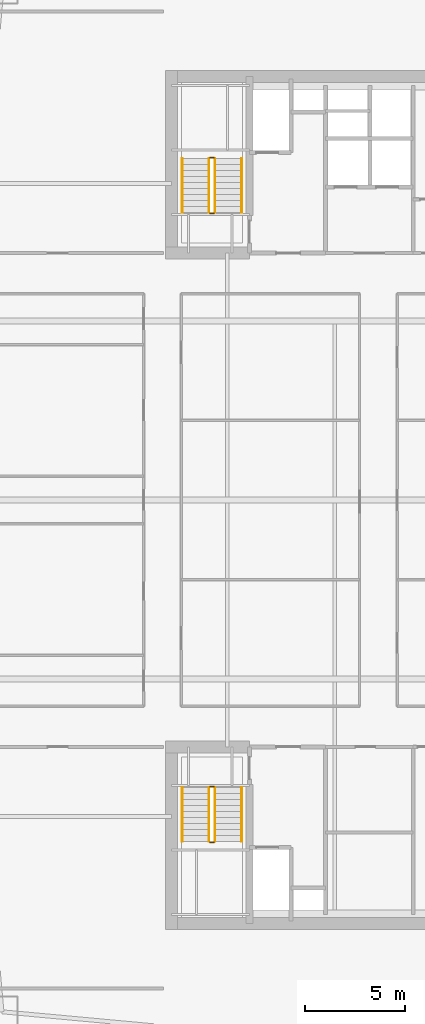
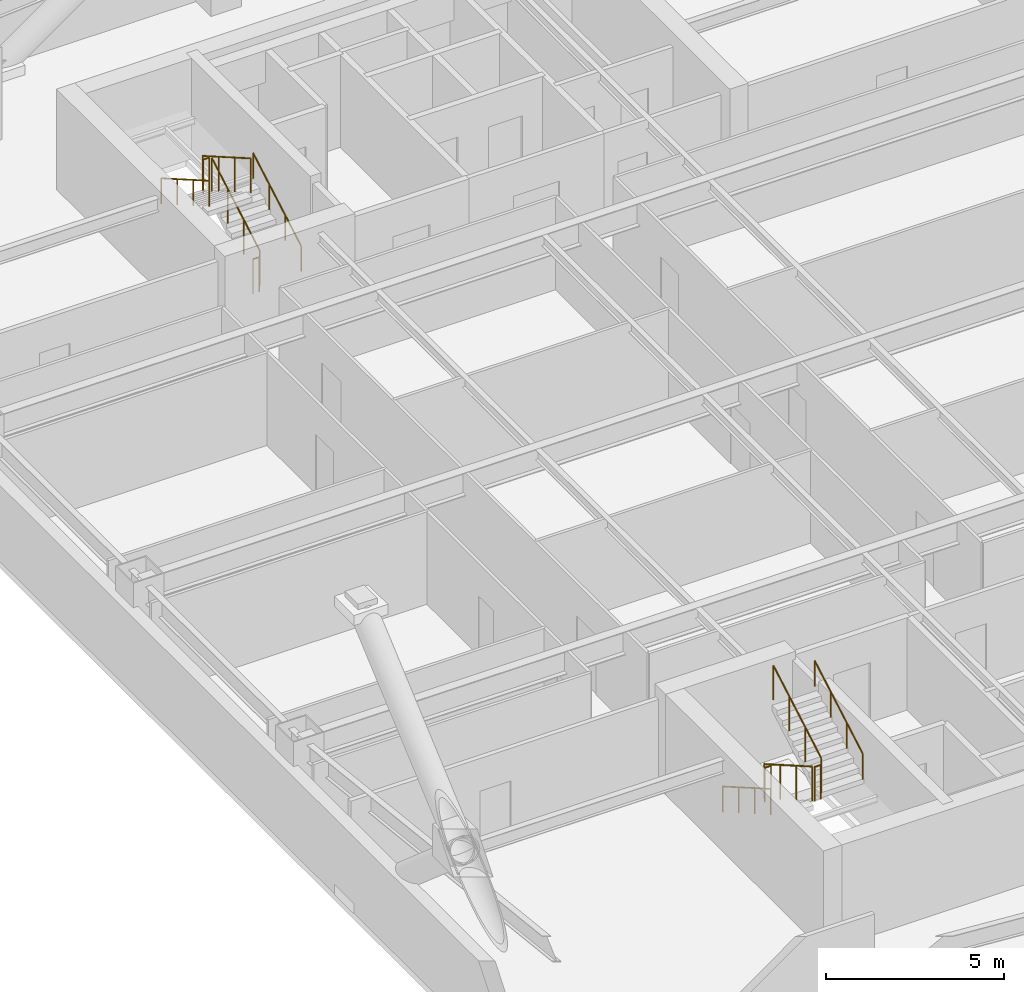
# One storey, part 13 of 14: 12 railings.
"""IFC4 building model written with IfcOpenShell, lengths in metres."""

from ifc_helpers import new_model, si_unit, direction, frame, origin, origin_2d, place, context, subcontext, project, spatial, circle, extrude, material, type_object, element, save


model = new_model("IFC4")

# Units and contexts
model_context = context("Model", 3, precision=1e-05, world=origin(), true_north=direction((0.0, 1.0)))
body_context = subcontext(model_context, "Body", "Model", "MODEL_VIEW")
ifc_project = project(units=[si_unit("LENGTHUNIT", "METRE"), si_unit("AREAUNIT", "SQUARE_METRE"), si_unit("VOLUMEUNIT", "CUBIC_METRE"), si_unit("PLANEANGLEUNIT", "RADIAN"), si_unit("MASSUNIT", "GRAM", prefix="KILO")], contexts=[model_context])

# Site, building, storey
site_placement = place(None, origin())
site = spatial("IfcSite", under=ifc_project, at=site_placement, CompositionType="ELEMENT")
building_placement = place(site_placement, origin())
building = spatial("IfcBuilding", under=site, at=building_placement, Name="Qiaolan Cultural Towers", CompositionType="ELEMENT")
storey_placement = place(building_placement, frame((0.0, 0.0, 149.5)))
storey = spatial("IfcBuildingStorey", under=building, at=storey_placement, Name="L39", CompositionType="ELEMENT", Elevation=149.5)

# Railings
ifc_material_1 = material(Name="Galvanized Painted Steel Stair Guardrail", Category="steel")
railing_type_1 = type_object("IfcRailingType", Name="RL-STAIR-GRD", PredefinedType="GUARDRAIL", material=ifc_material_1)
railing_1_placement = place(storey_placement, frame((23.68994140625, 19.550048828125, 0.172607421875)))
element("IfcRailing", 1, at=railing_1_placement, inside=storey, type_object=railing_type_1, Name="L39 ST-W1 stair guard 1", PredefinedType="GUARDRAIL", context=body_context, shape_type="SweptSolid", body=[
    extrude(circle(Radius=0.02392578125, at=origin_2d()), frame((0.0, 0.0, 1.17578125), z_axis=(0.0, -0.866903762492, 0.498475542607), x_axis=(1.0, 0.0, 0.0)), (0.0, 0.0, 1.0), 3.114501953125),
    extrude(circle(Radius=0.02099609375, at=origin_2d()), origin(), (0.0, 0.0, 1.0), 1.15185546875),
    extrude(circle(Radius=0.02099609375, at=origin_2d()), frame((0.0, -0.89990234375, 0.517578125)), (0.0, 0.0, 1.0), 1.15185546875),
    extrude(circle(Radius=0.02099609375, at=origin_2d()), frame((0.0, -1.800048828125, 1.034912109375)), (0.0, 0.0, 1.0), 1.15185546875),
    extrude(circle(Radius=0.02099609375, at=origin_2d()), frame((0.0, -2.699951171875, 1.552490234375)), (0.0, 0.0, 1.0), 1.15185546875),
])
railing_2_placement = place(storey_placement, frame((23.739990234375, 16.800048828125, 1.72509765625)))
element("IfcRailing", 2, at=railing_2_placement, inside=storey, type_object=railing_type_1, Name="L39 ST-W1 stair guard 2", PredefinedType="GUARDRAIL", context=body_context, shape_type="SweptSolid", body=[
    extrude(circle(Radius=0.02392578125, at=origin_2d()), frame((0.0, 0.0, 1.17578125), z_axis=(1.0, 0.0, 0.0), x_axis=(0.0, 1.0, 0.0)), (0.0, 0.0, 1.0), 0.199951171875),
    extrude(circle(Radius=0.02099609375, at=origin_2d()), origin(), (0.0, 0.0, 1.0), 1.15185546875),
    extrude(circle(Radius=0.02099609375, at=origin_2d()), frame((0.199951171875, 0.0, 0.0)), (0.0, 0.0, 1.0), 1.15185546875),
])
railing_3_placement = place(storey_placement, frame((23.989990234375, 16.85009765625, 1.8974609375)))
element("IfcRailing", 3, at=railing_3_placement, inside=storey, type_object=railing_type_1, Name="L39 ST-W1 stair guard 3", PredefinedType="GUARDRAIL", context=body_context, shape_type="SweptSolid", body=[
    extrude(circle(Radius=0.02392578125, at=origin_2d()), frame((0.0, 0.0, 1.17578125), z_axis=(0.0, 0.866903762492, 0.498475542607), x_axis=(-1.0, 0.0, 0.0)), (0.0, 0.0, 1.0), 3.114501953125),
    extrude(circle(Radius=0.02099609375, at=origin_2d()), origin(), (0.0, 0.0, 1.0), 1.15185546875),
    extrude(circle(Radius=0.02099609375, at=origin_2d()), frame((0.0, 0.89990234375, 0.517578125)), (0.0, 0.0, 1.0), 1.15185546875),
    extrude(circle(Radius=0.02099609375, at=origin_2d()), frame((0.0, 1.800048828125, 1.034912109375)), (0.0, 0.0, 1.0), 1.15185546875),
    extrude(circle(Radius=0.02099609375, at=origin_2d()), frame((0.0, 2.699951171875, 1.552490234375)), (0.0, 0.0, 1.0), 1.15185546875),
])
railing_4_placement = place(storey_placement, frame((23.739990234375, 19.60009765625, 0.0)))
element("IfcRailing", 4, at=railing_4_placement, inside=storey, type_object=railing_type_1, Name="L39 ST-W1 stair guard 4", PredefinedType="GUARDRAIL", context=body_context, shape_type="SweptSolid", body=[
    extrude(circle(Radius=0.02392578125, at=origin_2d()), frame((0.0, 0.0, 1.17578125), z_axis=(1.0, 0.0, 0.0), x_axis=(0.0, 1.0, 0.0)), (0.0, 0.0, 1.0), 0.199951171875),
    extrude(circle(Radius=0.02099609375, at=origin_2d()), origin(), (0.0, 0.0, 1.0), 1.15185546875),
    extrude(circle(Radius=0.02099609375, at=origin_2d()), frame((0.199951171875, 0.0, 0.0)), (0.0, 0.0, 1.0), 1.15185546875),
])
railing_5_placement = place(storey_placement, frame((23.989990234375, 48.449951171875, 0.172607421875)))
element("IfcRailing", 5, at=railing_5_placement, inside=storey, type_object=railing_type_1, Name="L39 ST-W2 stair guard 1", PredefinedType="GUARDRAIL", context=body_context, shape_type="SweptSolid", body=[
    extrude(circle(Radius=0.02392578125, at=origin_2d()), frame((0.0, 0.0, 1.17578125), z_axis=(0.0, 0.866903762492, 0.498475542607), x_axis=(-1.0, 0.0, 0.0)), (0.0, 0.0, 1.0), 3.114501953125),
    extrude(circle(Radius=0.02099609375, at=origin_2d()), origin(), (0.0, 0.0, 1.0), 1.15185546875),
    extrude(circle(Radius=0.02099609375, at=origin_2d()), frame((0.0, 0.89990234375, 0.517578125)), (0.0, 0.0, 1.0), 1.15185546875),
    extrude(circle(Radius=0.02099609375, at=origin_2d()), frame((0.0, 1.800048828125, 1.034912109375)), (0.0, 0.0, 1.0), 1.15185546875),
    extrude(circle(Radius=0.02099609375, at=origin_2d()), frame((0.0, 2.699951171875, 1.552490234375)), (0.0, 0.0, 1.0), 1.15185546875),
])
railing_6_placement = place(storey_placement, frame((23.93994140625, 51.199951171875, 1.72509765625)))
element("IfcRailing", 6, at=railing_6_placement, inside=storey, type_object=railing_type_1, Name="L39 ST-W2 stair guard 2", PredefinedType="GUARDRAIL", context=body_context, shape_type="SweptSolid", body=[
    extrude(circle(Radius=0.02392578125, at=origin_2d()), frame((0.0, 0.0, 1.17578125), z_axis=(-1.0, 0.0, 0.0), x_axis=(0.0, -1.0, 0.0)), (0.0, 0.0, 1.0), 0.199951171875),
    extrude(circle(Radius=0.02099609375, at=origin_2d()), origin(), (0.0, 0.0, 1.0), 1.15185546875),
    extrude(circle(Radius=0.02099609375, at=origin_2d()), frame((-0.199951171875, 0.0, 0.0)), (0.0, 0.0, 1.0), 1.15185546875),
])
railing_7_placement = place(storey_placement, frame((23.68994140625, 51.14990234375, 1.8974609375)))
element("IfcRailing", 7, at=railing_7_placement, inside=storey, type_object=railing_type_1, Name="L39 ST-W2 stair guard 3", PredefinedType="GUARDRAIL", context=body_context, shape_type="SweptSolid", body=[
    extrude(circle(Radius=0.02392578125, at=origin_2d()), frame((0.0, 0.0, 1.17578125), z_axis=(0.0, -0.866903762492, 0.498475542607), x_axis=(1.0, 0.0, 0.0)), (0.0, 0.0, 1.0), 3.114501953125),
    extrude(circle(Radius=0.02099609375, at=origin_2d()), origin(), (0.0, 0.0, 1.0), 1.15185546875),
    extrude(circle(Radius=0.02099609375, at=origin_2d()), frame((0.0, -0.89990234375, 0.517578125)), (0.0, 0.0, 1.0), 1.15185546875),
    extrude(circle(Radius=0.02099609375, at=origin_2d()), frame((0.0, -1.800048828125, 1.034912109375)), (0.0, 0.0, 1.0), 1.15185546875),
    extrude(circle(Radius=0.02099609375, at=origin_2d()), frame((0.0, -2.699951171875, 1.552490234375)), (0.0, 0.0, 1.0), 1.15185546875),
])
railing_8_placement = place(storey_placement, frame((23.93994140625, 48.39990234375, 0.0)))
element("IfcRailing", 8, at=railing_8_placement, inside=storey, type_object=railing_type_1, Name="L39 ST-W2 stair guard 4", PredefinedType="GUARDRAIL", context=body_context, shape_type="SweptSolid", body=[
    extrude(circle(Radius=0.02392578125, at=origin_2d()), frame((0.0, 0.0, 1.17578125), z_axis=(-1.0, 0.0, 0.0), x_axis=(0.0, -1.0, 0.0)), (0.0, 0.0, 1.0), 0.199951171875),
    extrude(circle(Radius=0.02099609375, at=origin_2d()), origin(), (0.0, 0.0, 1.0), 1.15185546875),
    extrude(circle(Radius=0.02099609375, at=origin_2d()), frame((-0.199951171875, 0.0, 0.0)), (0.0, 0.0, 1.0), 1.15185546875),
])
ifc_material_2 = material(Name="Stainless Steel S30408 Tubular Handrail", Category="steel")
railing_type_2 = type_object("IfcRailingType", Name="RL-STAIR-HR", PredefinedType="HANDRAIL", material=ifc_material_2)
railing_9_placement = place(storey_placement, frame((22.35009765625, 19.550048828125, 0.172607421875)))
element("IfcRailing", 9, at=railing_9_placement, inside=storey, type_object=railing_type_2, Name="L39 ST-W1 stair handrail 1", PredefinedType="HANDRAIL", context=body_context, shape_type="SweptSolid", body=[
    extrude(circle(Radius=0.02392578125, at=origin_2d()), frame((0.0, 0.0, 0.8759765625), z_axis=(0.0, -0.866903762492, 0.498475542607), x_axis=(1.0, 0.0, 0.0)), (0.0, 0.0, 1.0), 3.114501953125),
    extrude(circle(Radius=0.02099609375, at=origin_2d()), origin(), (0.0, 0.0, 1.0), 0.851806640625),
    extrude(circle(Radius=0.02099609375, at=origin_2d()), frame((0.0, -0.89990234375, 0.517578125)), (0.0, 0.0, 1.0), 0.851806640625),
    extrude(circle(Radius=0.02099609375, at=origin_2d()), frame((0.0, -1.800048828125, 1.034912109375)), (0.0, 0.0, 1.0), 0.851806640625),
    extrude(circle(Radius=0.02099609375, at=origin_2d()), frame((0.0, -2.699951171875, 1.552490234375)), (0.0, 0.0, 1.0), 0.851806640625),
])
for number, where, name in (
    (10, (25.330078125, 16.85009765625, 1.8974609375), "L39 ST-W1 stair handrail 2"),
    (11, (25.330078125, 48.449951171875, 0.172607421875), "L39 ST-W2 stair handrail 1"),
):
    element("IfcRailing", number, at=place(storey_placement, frame(where)), inside=storey, type_object=railing_type_2, Name=name, PredefinedType="HANDRAIL", context=body_context, shape_type="SweptSolid", body=[
        extrude(circle(Radius=0.02392578125, at=origin_2d()), frame((0.0, 0.0, 0.8759765625), z_axis=(0.0, 0.866903762492, 0.498475542607), x_axis=(-1.0, 0.0, 0.0)), (0.0, 0.0, 1.0), 3.114501953125),
        extrude(circle(Radius=0.02099609375, at=origin_2d()), origin(), (0.0, 0.0, 1.0), 0.851806640625),
        extrude(circle(Radius=0.02099609375, at=origin_2d()), frame((0.0, 0.89990234375, 0.517578125)), (0.0, 0.0, 1.0), 0.851806640625),
        extrude(circle(Radius=0.02099609375, at=origin_2d()), frame((0.0, 1.800048828125, 1.034912109375)), (0.0, 0.0, 1.0), 0.851806640625),
        extrude(circle(Radius=0.02099609375, at=origin_2d()), frame((0.0, 2.699951171875, 1.552490234375)), (0.0, 0.0, 1.0), 0.851806640625),
    ])
railing_10_placement = place(storey_placement, frame((22.35009765625, 51.14990234375, 1.8974609375)))
element("IfcRailing", 12, at=railing_10_placement, inside=storey, type_object=railing_type_2, Name="L39 ST-W2 stair handrail 2", PredefinedType="HANDRAIL", context=body_context, shape_type="SweptSolid", body=[
    extrude(circle(Radius=0.02392578125, at=origin_2d()), frame((0.0, 0.0, 0.8759765625), z_axis=(0.0, -0.866903762492, 0.498475542607), x_axis=(1.0, 0.0, 0.0)), (0.0, 0.0, 1.0), 3.114501953125),
    extrude(circle(Radius=0.02099609375, at=origin_2d()), origin(), (0.0, 0.0, 1.0), 0.851806640625),
    extrude(circle(Radius=0.02099609375, at=origin_2d()), frame((0.0, -0.89990234375, 0.517578125)), (0.0, 0.0, 1.0), 0.851806640625),
    extrude(circle(Radius=0.02099609375, at=origin_2d()), frame((0.0, -1.800048828125, 1.034912109375)), (0.0, 0.0, 1.0), 0.851806640625),
    extrude(circle(Radius=0.02099609375, at=origin_2d()), frame((0.0, -2.699951171875, 1.552490234375)), (0.0, 0.0, 1.0), 0.851806640625),
])

save(model, "model.ifc")
